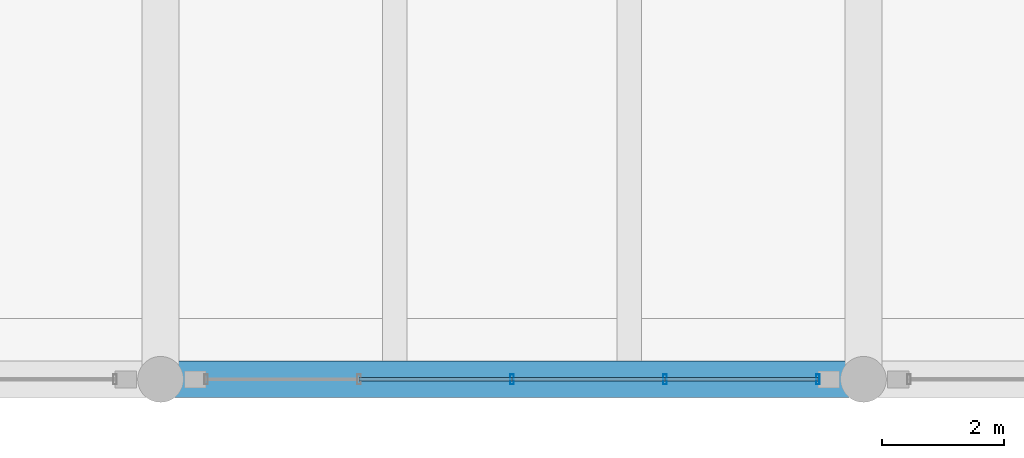
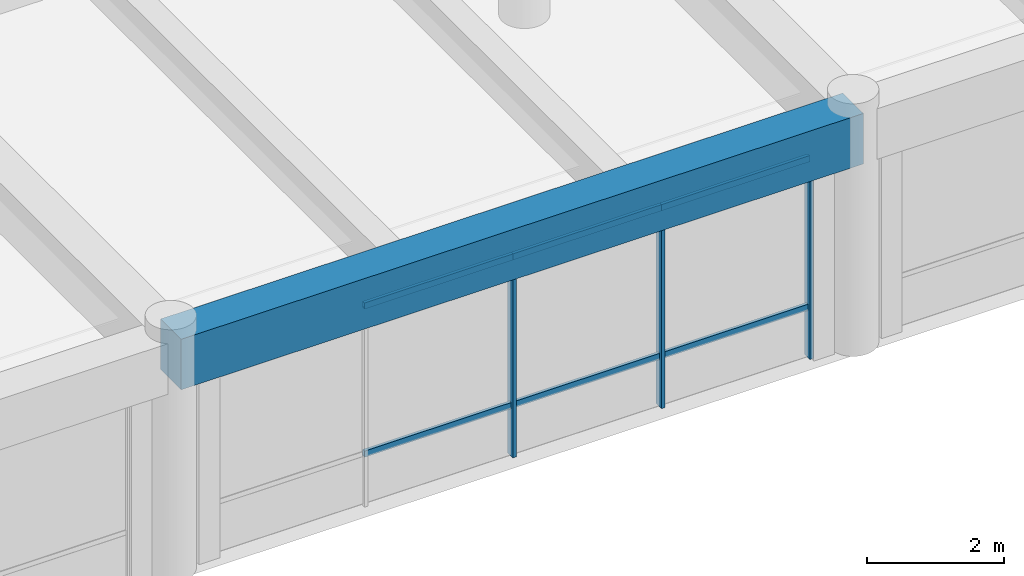
# One storey, part 38 of 154: 9 members, 1 beam, 1 element without a shape of its own.
"""IFC4 building model written with IfcOpenShell, lengths in metres."""

from ifc_helpers import new_model, si_unit, direction, frame, origin, origin_2d, place, context, subcontext, project, spatial, rectangle, hollow_rectangle, extrude, material, material_profile, profile_set, type_object, element, aggregate, save


model = new_model("IFC4")

# Units and contexts
model_context = context("Model", 3, precision=1e-05, world=origin(), true_north=direction((0.0, 1.0)))
body_context = subcontext(model_context, "Body", "Model", "MODEL_VIEW")
ifc_project = project(units=[si_unit("LENGTHUNIT", "METRE"), si_unit("AREAUNIT", "SQUARE_METRE"), si_unit("VOLUMEUNIT", "CUBIC_METRE"), si_unit("PLANEANGLEUNIT", "RADIAN"), si_unit("MASSUNIT", "GRAM", prefix="KILO")], contexts=[model_context])

# Site, building, storey
site_placement = place(None, origin())
site = spatial("IfcSite", under=ifc_project, at=site_placement, CompositionType="ELEMENT")
building_placement = place(site_placement, origin())
building = spatial("IfcBuilding", under=site, at=building_placement, Name="Ologun Quay Terminus", CompositionType="ELEMENT")
storey_placement = place(building_placement, frame((0.0, 0.0, 13.800048828125)))
storey = spatial("IfcBuildingStorey", under=building, at=storey_placement, Name="L03", CompositionType="ELEMENT", Elevation=13.800048828125)

# Curtain wall, members
ifc_material_1 = material(Name="Aluminium 6063-T6", Category="aluminium")
curtain_wall_type = type_object("IfcCurtainWallType", Name="South Pavilion Reading Hall Curtain Wall 10700x4150", PredefinedType="USERDEFINED", material=ifc_material_1)
curtain_wall_placement = place(storey_placement, origin())
curtain_wall = element("IfcCurtainWall", 1, at=curtain_wall_placement, inside=storey, type_object=curtain_wall_type, Name="CW-06 Curtain Wall CW-L03-037", ObjectType="UNITISED CURTAIN WALL", PredefinedType="USERDEFINED")
ifc_material_2 = material(Name="Aluminium 6063-T6", Category="aluminium")
ifc_material_profile_1 = material_profile(ifc_material_2, hollow_rectangle(XDim=0.06005859375, YDim=0.159912109375, WallThickness=0.00390625, at=origin_2d()), Name="ALU 160x60x4")
ifc_profile_set_1 = profile_set([ifc_material_profile_1], Name="Aluminium 6063-T6")
member_type_1 = type_object("IfcMemberType", Name="Curtain Wall Standard Mullion 160x65", PredefinedType="MULLION", material=ifc_profile_set_1)
member_1_placement = place(storey_placement, frame((97.75, 8.0, 0.0), z_axis=(0.0, 0.0, 1.0), x_axis=(1.0, 0.0, 0.0)))
member_1 = element("IfcMember", 2, at=member_1_placement, type_object=member_type_1, Name="CW-L03-037 Mullion 3", PredefinedType="MULLION", context=body_context, shape_type="SweptSolid", body=[
    extrude(hollow_rectangle(XDim=0.06005859375, YDim=0.159912109375, WallThickness=0.00390625, at=origin_2d()), origin(), (0.0, 0.0, 1.0), 4.239990234375),
])
member_2_placement = place(storey_placement, frame((100.25244140625, 8.0, 0.0), z_axis=(0.0, 0.0, 1.0), x_axis=(1.0, 0.0, 0.0)))
member_2 = element("IfcMember", 3, at=member_2_placement, type_object=member_type_1, Name="CW-L03-037 Mullion 4", PredefinedType="MULLION", context=body_context, shape_type="SweptSolid", body=[
    extrude(hollow_rectangle(XDim=0.06005859375, YDim=0.159912109375, WallThickness=0.00390625, at=origin_2d()), origin(), (0.0, 0.0, 1.0), 4.239990234375),
])
member_3_placement = place(storey_placement, frame((102.7548828125, 8.0, 0.0), z_axis=(0.0, 0.0, 1.0), x_axis=(1.0, 0.0, 0.0)))
member_3 = element("IfcMember", 4, at=member_3_placement, type_object=member_type_1, Name="CW-L03-037 Mullion 5", PredefinedType="MULLION", context=body_context, shape_type="SweptSolid", body=[
    extrude(hollow_rectangle(XDim=0.06005859375, YDim=0.159912109375, WallThickness=0.00390625, at=origin_2d()), origin(), (0.0, 0.0, 1.0), 4.239990234375),
])
ifc_material_3 = material(Name="Aluminium 6063-T6", Category="aluminium")
ifc_material_profile_2 = material_profile(ifc_material_3, hollow_rectangle(XDim=0.054931640625, YDim=0.110107421875, WallThickness=0.00390625, at=origin_2d()), Name="ALU 110x55x4")
ifc_profile_set_2 = profile_set([ifc_material_profile_2], Name="Aluminium 6063-T6")
member_type_2 = type_object("IfcMemberType", Name="Curtain Wall Standard Transom 110x55", PredefinedType="USERDEFINED", material=ifc_profile_set_2)
member_4_placement = place(storey_placement, frame((95.24755859375, 8.0, 0.89990234375), z_axis=(1.0, 0.0, 0.0), x_axis=(0.0, 1.0, 0.0)))
member_4 = element("IfcMember", 5, at=member_4_placement, type_object=member_type_2, Name="CW-L03-037 Transom B2-1", ObjectType="TRANSOM", PredefinedType="USERDEFINED", context=body_context, shape_type="SweptSolid", body=[
    extrude(hollow_rectangle(XDim=0.054931640625, YDim=0.110107421875, WallThickness=0.00390625, at=origin_2d()), origin(), (0.0, 0.0, 1.0), 2.50244140625),
])
member_5_placement = place(storey_placement, frame((95.24755859375, 8.0, 3.5400390625), z_axis=(1.0, 0.0, 0.0), x_axis=(0.0, 1.0, 0.0)))
member_5 = element("IfcMember", 6, at=member_5_placement, type_object=member_type_2, Name="CW-L03-037 Transom B2-2", ObjectType="TRANSOM", PredefinedType="USERDEFINED", context=body_context, shape_type="SweptSolid", body=[
    extrude(hollow_rectangle(XDim=0.054931640625, YDim=0.110107421875, WallThickness=0.00390625, at=origin_2d()), origin(), (0.0, 0.0, 1.0), 2.50244140625),
])
member_6_placement = place(storey_placement, frame((97.75, 8.0, 0.89990234375), z_axis=(1.0, 0.0, 0.0), x_axis=(0.0, 1.0, 0.0)))
member_6 = element("IfcMember", 7, at=member_6_placement, type_object=member_type_2, Name="CW-L03-037 Transom B3-1", ObjectType="TRANSOM", PredefinedType="USERDEFINED", context=body_context, shape_type="SweptSolid", body=[
    extrude(hollow_rectangle(XDim=0.054931640625, YDim=0.110107421875, WallThickness=0.00390625, at=origin_2d()), origin(), (0.0, 0.0, 1.0), 2.50244140625),
])
member_7_placement = place(storey_placement, frame((97.75, 8.0, 3.5400390625), z_axis=(1.0, 0.0, 0.0), x_axis=(0.0, 1.0, 0.0)))
member_7 = element("IfcMember", 8, at=member_7_placement, type_object=member_type_2, Name="CW-L03-037 Transom B3-2", ObjectType="TRANSOM", PredefinedType="USERDEFINED", context=body_context, shape_type="SweptSolid", body=[
    extrude(hollow_rectangle(XDim=0.054931640625, YDim=0.110107421875, WallThickness=0.00390625, at=origin_2d()), origin(), (0.0, 0.0, 1.0), 2.50244140625),
])
member_8_placement = place(storey_placement, frame((100.25244140625, 8.0, 0.89990234375), z_axis=(1.0, 0.0, 0.0), x_axis=(0.0, 1.0, 0.0)))
member_8 = element("IfcMember", 9, at=member_8_placement, type_object=member_type_2, Name="CW-L03-037 Transom B4-1", ObjectType="TRANSOM", PredefinedType="USERDEFINED", context=body_context, shape_type="SweptSolid", body=[
    extrude(hollow_rectangle(XDim=0.054931640625, YDim=0.110107421875, WallThickness=0.00390625, at=origin_2d()), origin(), (0.0, 0.0, 1.0), 2.50244140625),
])
member_9_placement = place(storey_placement, frame((100.25244140625, 8.0, 3.5400390625), z_axis=(1.0, 0.0, 0.0), x_axis=(0.0, 1.0, 0.0)))
member_9 = element("IfcMember", 10, at=member_9_placement, type_object=member_type_2, Name="CW-L03-037 Transom B4-2", ObjectType="TRANSOM", PredefinedType="USERDEFINED", context=body_context, shape_type="SweptSolid", body=[
    extrude(hollow_rectangle(XDim=0.054931640625, YDim=0.110107421875, WallThickness=0.00390625, at=origin_2d()), origin(), (0.0, 0.0, 1.0), 2.50244140625),
])
aggregate(curtain_wall, [member_1, member_2, member_3, member_4, member_5, member_6, member_7, member_8, member_9])

# Beam
ifc_material_4 = material(Name="Concrete C40/50", Category="concrete")
ifc_material_profile_3 = material_profile(ifc_material_4, rectangle(XDim=0.60009765625, YDim=0.89990234375, at=origin_2d()), Name="RC 600x900")
ifc_profile_set_3 = profile_set([ifc_material_profile_3], Name="Concrete C40/50")
beam_type = type_object("IfcBeamType", Name="Station Frame Girder 600x900", PredefinedType="BEAM", material=ifc_profile_set_3)
beam_placement = place(storey_placement, frame((92.0, 8.0, 3.800048828125), z_axis=(1.0, 0.0, 0.0), x_axis=(0.0, 1.0, 0.0)))
element("IfcBeam", 11, at=beam_placement, inside=storey, type_object=beam_type, Name="B3 Beam 9/B L03", PredefinedType="BEAM", context=body_context, shape_type="SweptSolid", body=[
    extrude(rectangle(XDim=0.60009765625, YDim=0.89990234375, at=origin_2d()), origin(), (0.0, 0.0, 1.0), 11.5),
])

save(model, "model.ifc")
